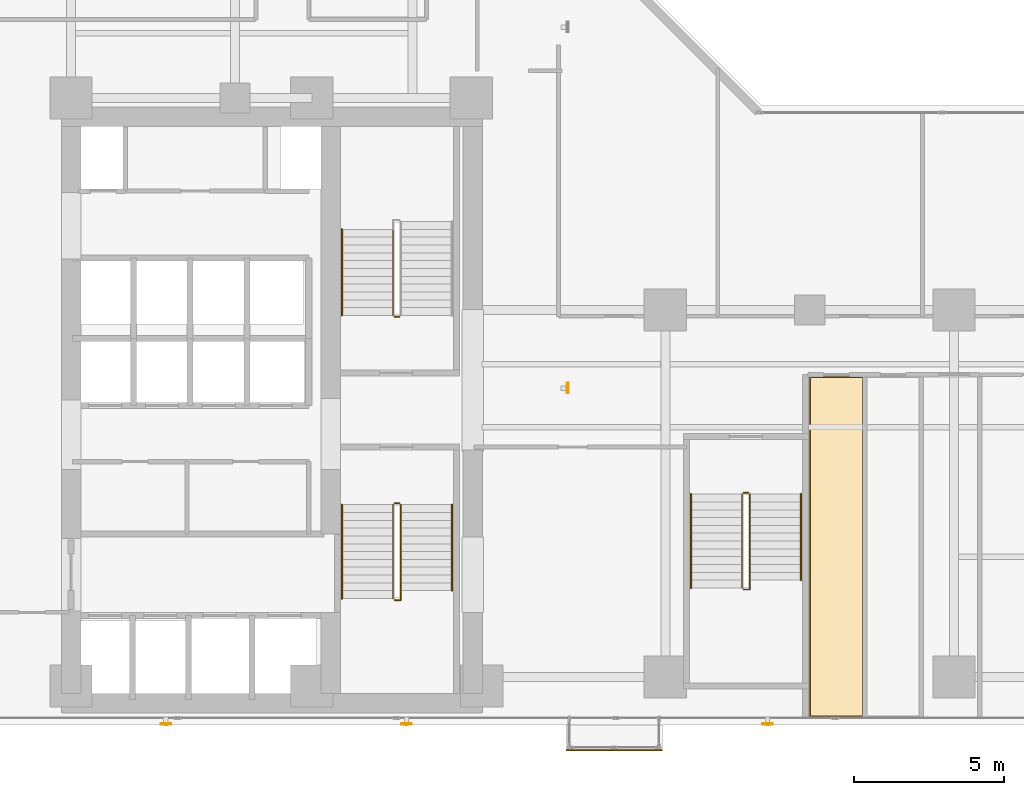
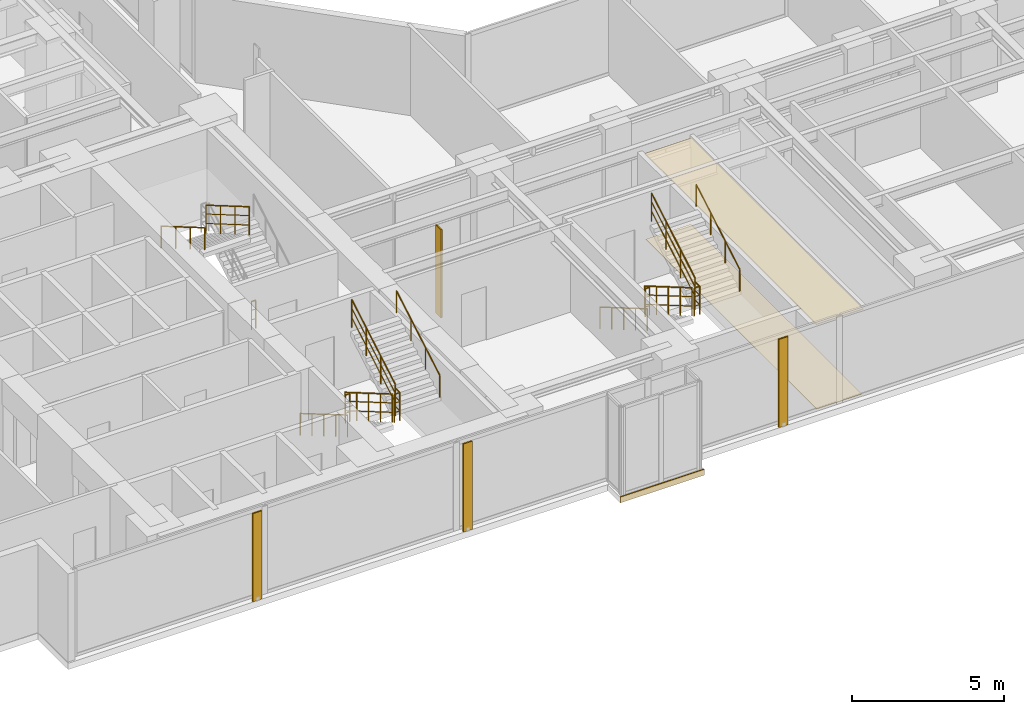
# One storey, part 23 of 26: 15 railings, 4 shading devices, 3 coverings.
"""IFC4 building model written with IfcOpenShell, lengths in metres."""

from ifc_helpers import new_model, si_unit, direction, frame, origin, origin_2d, place, context, subcontext, project, spatial, polyline, rectangle, hollow_rectangle, circle, outline, extrude, material, layer, layer_set, material_profile, profile_set, type_object, element, save


model = new_model("IFC4")

# Units and contexts
model_context = context("Model", 3, precision=1e-05, world=origin(), true_north=direction((0.0, 1.0)))
body_context = subcontext(model_context, "Body", "Model", "MODEL_VIEW")
ifc_project = project(units=[si_unit("LENGTHUNIT", "METRE"), si_unit("AREAUNIT", "SQUARE_METRE"), si_unit("VOLUMEUNIT", "CUBIC_METRE"), si_unit("PLANEANGLEUNIT", "RADIAN"), si_unit("MASSUNIT", "GRAM", prefix="KILO")], contexts=[model_context])

# Site, building, storey
site_placement = place(None, origin())
site = spatial("IfcSite", under=ifc_project, at=site_placement, CompositionType="ELEMENT")
building_placement = place(site_placement, origin())
building = spatial("IfcBuilding", under=site, at=building_placement, Name="Kolvaren Waterfront Exchange", CompositionType="ELEMENT")
storey_placement = place(building_placement, frame((0.0, 0.0, 122.10009765625)))
storey = spatial("IfcBuildingStorey", under=building, at=storey_placement, Name="L31", CompositionType="ELEMENT", Elevation=122.10009765625)

# Coverings
ifc_material_1 = material(Name="Mineral fibre acoustic ceiling tile")
ifc_layer_1 = layer(ifc_material_1, 0.02490234375, Name="Mineral fibre acoustic ceiling tile")
ifc_layer_set_1 = layer_set([ifc_layer_1], Name="Mineral fibre acoustic ceiling tile")
covering_type_1 = type_object("IfcCoveringType", Name="ARC-CEIL-ACOUSTIC-25", PredefinedType="CEILING", material=ifc_layer_set_1)
covering_1_placement = place(storey_placement, frame((0.0, 0.0, 3.4248046875)))
element("IfcCovering", 1, at=covering_1_placement, inside=storey, type_object=covering_type_1, Name="L31 acoustic suspended ceiling 2", PredefinedType="CEILING", context=body_context, shape_type="SweptSolid", body=[
    extrude(outline(polyline([(33.784912109375, 3.864990234375), (33.784912109375, 15.195068359375), (31.9951171875, 15.195068359375), (31.9951171875, 13.35009765625), (32.0, 13.35009765625), (32.0, 4.800048828125), (31.9951171875, 4.800048828125), (31.9951171875, 3.864990234375), (33.784912109375, 3.864990234375)])), origin(), (0.0, 0.0, 1.0), 0.025146484375),
])
ifc_material_2 = material(Name="Anodised bronze fascia aluminium", Category="aluminium")
ifc_layer_2 = layer(ifc_material_2, 0.034912109375, Name="Anodised bronze fascia aluminium")
ifc_layer_set_2 = layer_set([ifc_layer_2], Name="Anodised bronze fascia aluminium")
covering_type_2 = type_object("IfcCoveringType", Name="ARC-CLAD-BRONZE-35", PredefinedType="CLADDING", material=ifc_layer_set_2)
covering_2_placement = place(storey_placement, frame((25.5, 2.77001953125, -0.22021484375), z_axis=(0.0, 0.0, 1.0), x_axis=(1.0, 0.0, 0.0)))
element("IfcCovering", 2, at=covering_2_placement, inside=storey, type_object=covering_type_2, Name="L31 ribbed anodised bronze bay-box fascia", PredefinedType="CLADDING", context=body_context, shape_type="SweptSolid", body=[
    extrude(rectangle(XDim=3.199951171875, YDim=0.034912109375, at=origin_2d()), origin(), (0.0, 0.0, 1.0), 0.239990234375),
])

# Shading devices
ifc_material_3 = material(Name="Anodised bronze aluminium 6063-T6", Category="aluminium")
ifc_material_profile = material_profile(ifc_material_3, hollow_rectangle(XDim=0.06005859375, YDim=0.35009765625, WallThickness=0.0048828125, at=origin_2d()), Name="BRZ-FIN-350x60x5")
ifc_profile_set = profile_set([ifc_material_profile], Name="Anodised bronze aluminium 6063-T6")
shading_device_type = type_object("IfcShadingDeviceType", Name="ARC-FIN-350", PredefinedType="USERDEFINED", material=ifc_profile_set)
for number, where, z_axis, x_axis, name in (
    (3, (10.60009765625, 3.639892578125, 0.0), (0.0, 0.0, 1.0), (0.0, -1.0, 0.0), "L31 anodised bronze solar shading fin FIN-L31-S1"),
    (4, (18.60009765625, 3.639892578125, 0.0), (0.0, 0.0, 1.0), (0.0, -1.0, 0.0), "L31 anodised bronze solar shading fin FIN-L31-S2"),
    (5, (30.60009765625, 3.639892578125, 0.0), (0.0, 0.0, 1.0), (0.0, -1.0, 0.0), "L31 anodised bronze solar shading fin FIN-L31-S3"),
    (6, (23.9599609375, 14.800048828125, 0.0), (0.0, 0.0, 1.0), (1.0, 0.0, 0.0), "L31 anodised bronze solar shading fin FIN-L31-E1"),
):
    element("IfcShadingDevice", number, at=place(storey_placement, frame(where, z_axis=z_axis, x_axis=x_axis)), inside=storey, type_object=shading_device_type, Name=name, ObjectType="SOLAR FIN", PredefinedType="USERDEFINED", context=body_context, shape_type="SweptSolid", body=[
        extrude(hollow_rectangle(XDim=0.06005859375, YDim=0.35009765625, WallThickness=0.0048828125, at=origin_2d()), origin(), (0.0, 0.0, 1.0), 3.539794921875),
    ])

# Covering
ifc_material_4 = material(Name="Slip-resistant porcelain tile")
ifc_layer_3 = layer(ifc_material_4, 0.014892578125, Name="Slip-resistant porcelain tile")
ifc_layer_set_3 = layer_set([ifc_layer_3], Name="Slip-resistant porcelain tile")
covering_type_3 = type_object("IfcCoveringType", Name="ARC-FLR-PORC-15", PredefinedType="FLOORING", material=ifc_layer_set_3)
covering_3_placement = place(storey_placement, origin())
element("IfcCovering", 7, at=covering_3_placement, inside=storey, type_object=covering_type_3, Name="L31 floor finish 2", PredefinedType="FLOORING", context=body_context, shape_type="SweptSolid", body=[
    extrude(outline(polyline([(32.030029296875, 15.159912109375), (32.030029296875, 3.89990234375), (33.75, 3.89990234375), (33.75, 15.159912109375), (32.030029296875, 15.159912109375)])), origin(), (0.0, 0.0, 1.0), 0.014892578125),
])

# Railings
ifc_material_5 = material(Name="Stainless steel 316", Category="steel")
railing_type_1 = type_object("IfcRailingType", Name="ARC-GUARD-STAIR", PredefinedType="GUARDRAIL", material=ifc_material_5)
railing_1_placement = place(storey_placement, frame((18.14990234375, 10.929931640625, 0.15185546875)))
element("IfcRailing", 8, at=railing_1_placement, inside=storey, type_object=railing_type_1, Name="L31 ST1 stair guard 1", PredefinedType="GUARDRAIL", context=body_context, shape_type="SweptSolid", body=[
    extrude(circle(Radius=0.02392578125, at=origin_2d()), frame((0.0, 0.0, 1.1259765625), z_axis=(0.0, -0.86329090724, 0.504706656858), x_axis=(1.0, 0.0, 0.0)), (0.0, 0.0, 1.0), 3.614013671875),
    extrude(circle(Radius=0.01611328125, at=origin_2d()), frame((0.0, 0.0, 0.390869140625), z_axis=(0.0, -0.86329090724, 0.504706656858), x_axis=(1.0, 0.0, 0.0)), (0.0, 0.0, 1.0), 3.614013671875),
    extrude(circle(Radius=0.01611328125, at=origin_2d()), frame((0.0, 0.0, 0.7705078125), z_axis=(0.0, -0.86329090724, 0.504706656858), x_axis=(1.0, 0.0, 0.0)), (0.0, 0.0, 1.0), 3.614013671875),
    extrude(circle(Radius=0.02099609375, at=origin_2d()), origin(), (0.0, 0.0, 1.0), 1.101806640625),
    extrude(circle(Radius=0.02099609375, at=origin_2d()), frame((0.0, -0.780029296875, 0.4560546875)), (0.0, 0.0, 1.0), 1.101806640625),
    extrude(circle(Radius=0.02099609375, at=origin_2d()), frame((0.0, -1.56005859375, 0.912109375)), (0.0, 0.0, 1.0), 1.101806640625),
    extrude(circle(Radius=0.02099609375, at=origin_2d()), frame((0.0, -2.33984375, 1.367919921875)), (0.0, 0.0, 1.0), 1.101806640625),
    extrude(circle(Radius=0.02099609375, at=origin_2d()), frame((0.0, -3.119873046875, 1.823974609375)), (0.0, 0.0, 1.0), 1.101806640625),
])
railing_2_placement = place(storey_placement, frame((18.199951171875, 7.760009765625, 1.975830078125)))
element("IfcRailing", 9, at=railing_2_placement, inside=storey, type_object=railing_type_1, Name="L31 ST1 stair guard 2", PredefinedType="GUARDRAIL", context=body_context, shape_type="SweptSolid", body=[
    extrude(circle(Radius=0.02392578125, at=origin_2d()), frame((0.0, 0.0, 1.1259765625), z_axis=(1.0, 0.0, 0.0), x_axis=(0.0, 1.0, 0.0)), (0.0, 0.0, 1.0), 0.2099609375),
    extrude(circle(Radius=0.01611328125, at=origin_2d()), frame((0.0, 0.0, 0.390869140625), z_axis=(1.0, 0.0, 0.0), x_axis=(0.0, 1.0, 0.0)), (0.0, 0.0, 1.0), 0.2099609375),
    extrude(circle(Radius=0.01611328125, at=origin_2d()), frame((0.0, 0.0, 0.7705078125), z_axis=(1.0, 0.0, 0.0), x_axis=(0.0, 1.0, 0.0)), (0.0, 0.0, 1.0), 0.2099609375),
    extrude(circle(Radius=0.02392578125, at=origin_2d()), frame((0.2099609375, 0.0, 1.1259765625), z_axis=(0.0, 1.0, 0.0), x_axis=(-1.0, 0.0, 0.0)), (0.0, 0.0, 1.0), 0.31005859375),
    extrude(circle(Radius=0.01611328125, at=origin_2d()), frame((0.2099609375, 0.0, 0.390869140625), z_axis=(0.0, 1.0, 0.0), x_axis=(-1.0, 0.0, 0.0)), (0.0, 0.0, 1.0), 0.31005859375),
    extrude(circle(Radius=0.01611328125, at=origin_2d()), frame((0.2099609375, 0.0, 0.7705078125), z_axis=(0.0, 1.0, 0.0), x_axis=(-1.0, 0.0, 0.0)), (0.0, 0.0, 1.0), 0.31005859375),
    extrude(circle(Radius=0.02099609375, at=origin_2d()), origin(), (0.0, 0.0, 1.0), 1.101806640625),
    extrude(circle(Radius=0.02099609375, at=origin_2d()), frame((0.2099609375, 0.0, 0.0)), (0.0, 0.0, 1.0), 1.101806640625),
    extrude(circle(Radius=0.02099609375, at=origin_2d()), frame((0.2099609375, 0.31005859375, 0.0)), (0.0, 0.0, 1.0), 1.101806640625),
])
railing_3_placement = place(storey_placement, frame((18.409912109375, 8.070068359375, 2.1279296875)))
element("IfcRailing", 10, at=railing_3_placement, inside=storey, type_object=railing_type_1, Name="L31 ST1 stair guard 3", PredefinedType="GUARDRAIL", context=body_context, shape_type="SweptSolid", body=[
    extrude(circle(Radius=0.02392578125, at=origin_2d()), frame((0.0, 0.0, 1.1259765625), z_axis=(0.0, 0.86330272217, 0.504686447108), x_axis=(-1.0, 0.0, 0.0)), (0.0, 0.0, 1.0), 3.312744140625),
    extrude(circle(Radius=0.01611328125, at=origin_2d()), frame((0.0, 0.0, 0.390869140625), z_axis=(0.0, 0.86330272217, 0.504686447108), x_axis=(-1.0, 0.0, 0.0)), (0.0, 0.0, 1.0), 3.312744140625),
    extrude(circle(Radius=0.01611328125, at=origin_2d()), frame((0.0, 0.0, 0.7705078125), z_axis=(0.0, 0.86330272217, 0.504686447108), x_axis=(-1.0, 0.0, 0.0)), (0.0, 0.0, 1.0), 3.312744140625),
    extrude(circle(Radius=0.02099609375, at=origin_2d()), origin(), (0.0, 0.0, 1.0), 1.101806640625),
    extrude(circle(Radius=0.02099609375, at=origin_2d()), frame((0.0, 0.953369140625, 0.557373046875)), (0.0, 0.0, 1.0), 1.101806640625),
    extrude(circle(Radius=0.02099609375, at=origin_2d()), frame((0.0, 1.906494140625, 1.114501953125)), (0.0, 0.0, 1.0), 1.101806640625),
    extrude(circle(Radius=0.02099609375, at=origin_2d()), frame((0.0, 2.85986328125, 1.671875)), (0.0, 0.0, 1.0), 1.101806640625),
])
railing_4_placement = place(storey_placement, frame((18.199951171875, 10.97998046875, 0.0)))
element("IfcRailing", 11, at=railing_4_placement, inside=storey, type_object=railing_type_1, Name="L31 ST1 stair guard 4", PredefinedType="GUARDRAIL", context=body_context, shape_type="SweptSolid", body=[
    extrude(circle(Radius=0.02392578125, at=origin_2d()), frame((0.0, 0.0, 1.1259765625), z_axis=(1.0, 0.0, 0.0), x_axis=(0.0, 1.0, 0.0)), (0.0, 0.0, 1.0), 0.16015625),
    extrude(circle(Radius=0.01611328125, at=origin_2d()), frame((0.0, 0.0, 0.390869140625), z_axis=(1.0, 0.0, 0.0), x_axis=(0.0, 1.0, 0.0)), (0.0, 0.0, 1.0), 0.16015625),
    extrude(circle(Radius=0.01611328125, at=origin_2d()), frame((0.0, 0.0, 0.7705078125), z_axis=(1.0, 0.0, 0.0), x_axis=(0.0, 1.0, 0.0)), (0.0, 0.0, 1.0), 0.16015625),
    extrude(circle(Radius=0.02099609375, at=origin_2d()), origin(), (0.0, 0.0, 1.0), 1.101806640625),
    extrude(circle(Radius=0.02099609375, at=origin_2d()), frame((0.16015625, 0.0, 0.0)), (0.0, 0.0, 1.0), 1.101806640625),
])
railing_5_placement = place(storey_placement, frame((18.14990234375, 20.080078125, 2.1279296875)))
element("IfcRailing", 12, at=railing_5_placement, inside=storey, type_object=railing_type_1, Name="L31 ST2 stair guard 3", PredefinedType="GUARDRAIL", context=body_context, shape_type="SweptSolid", body=[
    extrude(circle(Radius=0.02392578125, at=origin_2d()), frame((0.0, 0.0, 1.1259765625), z_axis=(0.0, -0.863321491973, 0.504654338629), x_axis=(1.0, 0.0, 0.0)), (0.0, 0.0, 1.0), 3.31298828125),
    extrude(circle(Radius=0.01611328125, at=origin_2d()), frame((0.0, 0.0, 0.390869140625), z_axis=(0.0, -0.863321491973, 0.504654338629), x_axis=(1.0, 0.0, 0.0)), (0.0, 0.0, 1.0), 3.31298828125),
    extrude(circle(Radius=0.01611328125, at=origin_2d()), frame((0.0, 0.0, 0.7705078125), z_axis=(0.0, -0.863321491973, 0.504654338629), x_axis=(1.0, 0.0, 0.0)), (0.0, 0.0, 1.0), 3.31298828125),
    extrude(circle(Radius=0.02099609375, at=origin_2d()), origin(), (0.0, 0.0, 1.0), 1.101806640625),
    extrude(circle(Radius=0.02099609375, at=origin_2d()), frame((0.0, -0.953369140625, 0.557373046875)), (0.0, 0.0, 1.0), 1.101806640625),
    extrude(circle(Radius=0.02099609375, at=origin_2d()), frame((0.0, -1.90673828125, 1.114501953125)), (0.0, 0.0, 1.0), 1.101806640625),
    extrude(circle(Radius=0.02099609375, at=origin_2d()), frame((0.0, -2.860107421875, 1.671875)), (0.0, 0.0, 1.0), 1.101806640625),
])
railing_6_placement = place(storey_placement, frame((18.360107421875, 17.169921875, 0.0)))
element("IfcRailing", 13, at=railing_6_placement, inside=storey, type_object=railing_type_1, Name="L31 ST2 stair guard 4", PredefinedType="GUARDRAIL", context=body_context, shape_type="SweptSolid", body=[
    extrude(circle(Radius=0.02392578125, at=origin_2d()), frame((0.0, 0.0, 1.1259765625), z_axis=(-1.0, 0.0, 0.0), x_axis=(0.0, -1.0, 0.0)), (0.0, 0.0, 1.0), 0.16015625),
    extrude(circle(Radius=0.01611328125, at=origin_2d()), frame((0.0, 0.0, 0.390869140625), z_axis=(-1.0, 0.0, 0.0), x_axis=(0.0, -1.0, 0.0)), (0.0, 0.0, 1.0), 0.16015625),
    extrude(circle(Radius=0.01611328125, at=origin_2d()), frame((0.0, 0.0, 0.7705078125), z_axis=(-1.0, 0.0, 0.0), x_axis=(0.0, -1.0, 0.0)), (0.0, 0.0, 1.0), 0.16015625),
    extrude(circle(Radius=0.02099609375, at=origin_2d()), origin(), (0.0, 0.0, 1.0), 1.101806640625),
    extrude(circle(Radius=0.02099609375, at=origin_2d()), frame((-0.16015625, 0.0, 0.0)), (0.0, 0.0, 1.0), 1.101806640625),
])
railing_7_placement = place(storey_placement, frame((29.75, 11.280029296875, 0.15185546875)))
element("IfcRailing", 14, at=railing_7_placement, inside=storey, type_object=railing_type_1, Name="L31 ST3 stair guard 1", PredefinedType="GUARDRAIL", context=body_context, shape_type="SweptSolid", body=[
    extrude(circle(Radius=0.02392578125, at=origin_2d()), frame((0.0, 0.0, 1.1259765625), z_axis=(0.0, -0.86330811405, 0.504677223793), x_axis=(1.0, 0.0, 0.0)), (0.0, 0.0, 1.0), 3.6142578125),
    extrude(circle(Radius=0.01611328125, at=origin_2d()), frame((0.0, 0.0, 0.390869140625), z_axis=(0.0, -0.86330811405, 0.504677223793), x_axis=(1.0, 0.0, 0.0)), (0.0, 0.0, 1.0), 3.6142578125),
    extrude(circle(Radius=0.01611328125, at=origin_2d()), frame((0.0, 0.0, 0.7705078125), z_axis=(0.0, -0.86330811405, 0.504677223793), x_axis=(1.0, 0.0, 0.0)), (0.0, 0.0, 1.0), 3.6142578125),
    extrude(circle(Radius=0.02099609375, at=origin_2d()), origin(), (0.0, 0.0, 1.0), 1.101806640625),
    extrude(circle(Radius=0.02099609375, at=origin_2d()), frame((0.0, -0.780029296875, 0.4560546875)), (0.0, 0.0, 1.0), 1.101806640625),
    extrude(circle(Radius=0.02099609375, at=origin_2d()), frame((0.0, -1.56005859375, 0.912109375)), (0.0, 0.0, 1.0), 1.101806640625),
    extrude(circle(Radius=0.02099609375, at=origin_2d()), frame((0.0, -2.340087890625, 1.367919921875)), (0.0, 0.0, 1.0), 1.101806640625),
    extrude(circle(Radius=0.02099609375, at=origin_2d()), frame((0.0, -3.1201171875, 1.823974609375)), (0.0, 0.0, 1.0), 1.101806640625),
])
railing_8_placement = place(storey_placement, frame((29.800048828125, 8.110107421875, 1.975830078125)))
element("IfcRailing", 15, at=railing_8_placement, inside=storey, type_object=railing_type_1, Name="L31 ST3 stair guard 2", PredefinedType="GUARDRAIL", context=body_context, shape_type="SweptSolid", body=[
    extrude(circle(Radius=0.02392578125, at=origin_2d()), frame((0.0, 0.0, 1.1259765625), z_axis=(1.0, 0.0, 0.0), x_axis=(0.0, 1.0, 0.0)), (0.0, 0.0, 1.0), 0.2099609375),
    extrude(circle(Radius=0.01611328125, at=origin_2d()), frame((0.0, 0.0, 0.390869140625), z_axis=(1.0, 0.0, 0.0), x_axis=(0.0, 1.0, 0.0)), (0.0, 0.0, 1.0), 0.2099609375),
    extrude(circle(Radius=0.01611328125, at=origin_2d()), frame((0.0, 0.0, 0.7705078125), z_axis=(1.0, 0.0, 0.0), x_axis=(0.0, 1.0, 0.0)), (0.0, 0.0, 1.0), 0.2099609375),
    extrude(circle(Radius=0.02392578125, at=origin_2d()), frame((0.2099609375, 0.0, 1.1259765625), z_axis=(0.0, 1.0, 0.0), x_axis=(-1.0, 0.0, 0.0)), (0.0, 0.0, 1.0), 0.309814453125),
    extrude(circle(Radius=0.01611328125, at=origin_2d()), frame((0.2099609375, 0.0, 0.390869140625), z_axis=(0.0, 1.0, 0.0), x_axis=(-1.0, 0.0, 0.0)), (0.0, 0.0, 1.0), 0.309814453125),
    extrude(circle(Radius=0.01611328125, at=origin_2d()), frame((0.2099609375, 0.0, 0.7705078125), z_axis=(0.0, 1.0, 0.0), x_axis=(-1.0, 0.0, 0.0)), (0.0, 0.0, 1.0), 0.309814453125),
    extrude(circle(Radius=0.02099609375, at=origin_2d()), origin(), (0.0, 0.0, 1.0), 1.101806640625),
    extrude(circle(Radius=0.02099609375, at=origin_2d()), frame((0.2099609375, 0.0, 0.0)), (0.0, 0.0, 1.0), 1.101806640625),
    extrude(circle(Radius=0.02099609375, at=origin_2d()), frame((0.2099609375, 0.309814453125, 0.0)), (0.0, 0.0, 1.0), 1.101806640625),
])
railing_9_placement = place(storey_placement, frame((30.010009765625, 8.419921875, 2.1279296875)))
element("IfcRailing", 16, at=railing_9_placement, inside=storey, type_object=railing_type_1, Name="L31 ST3 stair guard 3", PredefinedType="GUARDRAIL", context=body_context, shape_type="SweptSolid", body=[
    extrude(circle(Radius=0.02392578125, at=origin_2d()), frame((0.0, 0.0, 1.1259765625), z_axis=(0.0, 0.863321491973, 0.504654338629), x_axis=(-1.0, 0.0, 0.0)), (0.0, 0.0, 1.0), 3.31298828125),
    extrude(circle(Radius=0.01611328125, at=origin_2d()), frame((0.0, 0.0, 0.390869140625), z_axis=(0.0, 0.863321491973, 0.504654338629), x_axis=(-1.0, 0.0, 0.0)), (0.0, 0.0, 1.0), 3.31298828125),
    extrude(circle(Radius=0.01611328125, at=origin_2d()), frame((0.0, 0.0, 0.7705078125), z_axis=(0.0, 0.863321491973, 0.504654338629), x_axis=(-1.0, 0.0, 0.0)), (0.0, 0.0, 1.0), 3.31298828125),
    extrude(circle(Radius=0.02099609375, at=origin_2d()), origin(), (0.0, 0.0, 1.0), 1.101806640625),
    extrude(circle(Radius=0.02099609375, at=origin_2d()), frame((0.0, 0.953369140625, 0.557373046875)), (0.0, 0.0, 1.0), 1.101806640625),
    extrude(circle(Radius=0.02099609375, at=origin_2d()), frame((0.0, 1.90673828125, 1.114501953125)), (0.0, 0.0, 1.0), 1.101806640625),
    extrude(circle(Radius=0.02099609375, at=origin_2d()), frame((0.0, 2.860107421875, 1.671875)), (0.0, 0.0, 1.0), 1.101806640625),
])
railing_10_placement = place(storey_placement, frame((29.800048828125, 11.330078125, 0.0)))
element("IfcRailing", 17, at=railing_10_placement, inside=storey, type_object=railing_type_1, Name="L31 ST3 stair guard 4", PredefinedType="GUARDRAIL", context=body_context, shape_type="SweptSolid", body=[
    extrude(circle(Radius=0.02392578125, at=origin_2d()), frame((0.0, 0.0, 1.1259765625), z_axis=(1.0, 0.0, 0.0), x_axis=(0.0, 1.0, 0.0)), (0.0, 0.0, 1.0), 0.159912109375),
    extrude(circle(Radius=0.01611328125, at=origin_2d()), frame((0.0, 0.0, 0.390869140625), z_axis=(1.0, 0.0, 0.0), x_axis=(0.0, 1.0, 0.0)), (0.0, 0.0, 1.0), 0.159912109375),
    extrude(circle(Radius=0.01611328125, at=origin_2d()), frame((0.0, 0.0, 0.7705078125), z_axis=(1.0, 0.0, 0.0), x_axis=(0.0, 1.0, 0.0)), (0.0, 0.0, 1.0), 0.159912109375),
    extrude(circle(Radius=0.02099609375, at=origin_2d()), origin(), (0.0, 0.0, 1.0), 1.101806640625),
    extrude(circle(Radius=0.02099609375, at=origin_2d()), frame((0.159912109375, 0.0, 0.0)), (0.0, 0.0, 1.0), 1.101806640625),
])
railing_type_2 = type_object("IfcRailingType", Name="ARC-HANDRAIL-900", PredefinedType="HANDRAIL", material=ifc_material_5)
railing_11_placement = place(storey_placement, frame((16.449951171875, 10.929931640625, 0.15185546875)))
element("IfcRailing", 18, at=railing_11_placement, inside=storey, type_object=railing_type_2, Name="L31 ST1 stair handrail 1", PredefinedType="HANDRAIL", context=body_context, shape_type="SweptSolid", body=[
    extrude(circle(Radius=0.02392578125, at=origin_2d()), frame((0.0, 0.0, 0.8759765625), z_axis=(0.0, -0.86329090724, 0.504706656858), x_axis=(1.0, 0.0, 0.0)), (0.0, 0.0, 1.0), 3.614013671875),
    extrude(circle(Radius=0.02099609375, at=origin_2d()), origin(), (0.0, 0.0, 1.0), 0.851806640625),
    extrude(circle(Radius=0.02099609375, at=origin_2d()), frame((0.0, -0.780029296875, 0.4560546875)), (0.0, 0.0, 1.0), 0.851806640625),
    extrude(circle(Radius=0.02099609375, at=origin_2d()), frame((0.0, -1.56005859375, 0.912109375)), (0.0, 0.0, 1.0), 0.851806640625),
    extrude(circle(Radius=0.02099609375, at=origin_2d()), frame((0.0, -2.33984375, 1.367919921875)), (0.0, 0.0, 1.0), 0.851806640625),
    extrude(circle(Radius=0.02099609375, at=origin_2d()), frame((0.0, -3.119873046875, 1.823974609375)), (0.0, 0.0, 1.0), 0.851806640625),
])
railing_12_placement = place(storey_placement, frame((20.110107421875, 8.070068359375, 2.1279296875)))
element("IfcRailing", 19, at=railing_12_placement, inside=storey, type_object=railing_type_2, Name="L31 ST1 stair handrail 2", PredefinedType="HANDRAIL", context=body_context, shape_type="SweptSolid", body=[
    extrude(circle(Radius=0.02392578125, at=origin_2d()), frame((0.0, 0.0, 0.8759765625), z_axis=(0.0, 0.86330272217, 0.504686447108), x_axis=(-1.0, 0.0, 0.0)), (0.0, 0.0, 1.0), 3.312744140625),
    extrude(circle(Radius=0.02099609375, at=origin_2d()), origin(), (0.0, 0.0, 1.0), 0.851806640625),
    extrude(circle(Radius=0.02099609375, at=origin_2d()), frame((0.0, 0.953369140625, 0.557373046875)), (0.0, 0.0, 1.0), 0.851806640625),
    extrude(circle(Radius=0.02099609375, at=origin_2d()), frame((0.0, 1.906494140625, 1.114501953125)), (0.0, 0.0, 1.0), 0.851806640625),
    extrude(circle(Radius=0.02099609375, at=origin_2d()), frame((0.0, 2.85986328125, 1.671875)), (0.0, 0.0, 1.0), 0.851806640625),
])
railing_13_placement = place(storey_placement, frame((16.449951171875, 20.080078125, 2.1279296875)))
element("IfcRailing", 20, at=railing_13_placement, inside=storey, type_object=railing_type_2, Name="L31 ST2 stair handrail 2", PredefinedType="HANDRAIL", context=body_context, shape_type="SweptSolid", body=[
    extrude(circle(Radius=0.02392578125, at=origin_2d()), frame((0.0, 0.0, 0.8759765625), z_axis=(0.0, -0.863321491973, 0.504654338629), x_axis=(1.0, 0.0, 0.0)), (0.0, 0.0, 1.0), 3.31298828125),
    extrude(circle(Radius=0.02099609375, at=origin_2d()), origin(), (0.0, 0.0, 1.0), 0.851806640625),
    extrude(circle(Radius=0.02099609375, at=origin_2d()), frame((0.0, -0.953369140625, 0.557373046875)), (0.0, 0.0, 1.0), 0.851806640625),
    extrude(circle(Radius=0.02099609375, at=origin_2d()), frame((0.0, -1.90673828125, 1.114501953125)), (0.0, 0.0, 1.0), 0.851806640625),
    extrude(circle(Radius=0.02099609375, at=origin_2d()), frame((0.0, -2.860107421875, 1.671875)), (0.0, 0.0, 1.0), 0.851806640625),
])
railing_14_placement = place(storey_placement, frame((28.050048828125, 11.280029296875, 0.15185546875)))
element("IfcRailing", 21, at=railing_14_placement, inside=storey, type_object=railing_type_2, Name="L31 ST3 stair handrail 1", PredefinedType="HANDRAIL", context=body_context, shape_type="SweptSolid", body=[
    extrude(circle(Radius=0.02392578125, at=origin_2d()), frame((0.0, 0.0, 0.8759765625), z_axis=(0.0, -0.86330811405, 0.504677223793), x_axis=(1.0, 0.0, 0.0)), (0.0, 0.0, 1.0), 3.6142578125),
    extrude(circle(Radius=0.02099609375, at=origin_2d()), origin(), (0.0, 0.0, 1.0), 0.851806640625),
    extrude(circle(Radius=0.02099609375, at=origin_2d()), frame((0.0, -0.780029296875, 0.4560546875)), (0.0, 0.0, 1.0), 0.851806640625),
    extrude(circle(Radius=0.02099609375, at=origin_2d()), frame((0.0, -1.56005859375, 0.912109375)), (0.0, 0.0, 1.0), 0.851806640625),
    extrude(circle(Radius=0.02099609375, at=origin_2d()), frame((0.0, -2.340087890625, 1.367919921875)), (0.0, 0.0, 1.0), 0.851806640625),
    extrude(circle(Radius=0.02099609375, at=origin_2d()), frame((0.0, -3.1201171875, 1.823974609375)), (0.0, 0.0, 1.0), 0.851806640625),
])
railing_15_placement = place(storey_placement, frame((31.7099609375, 8.419921875, 2.1279296875)))
element("IfcRailing", 22, at=railing_15_placement, inside=storey, type_object=railing_type_2, Name="L31 ST3 stair handrail 2", PredefinedType="HANDRAIL", context=body_context, shape_type="SweptSolid", body=[
    extrude(circle(Radius=0.02392578125, at=origin_2d()), frame((0.0, 0.0, 0.8759765625), z_axis=(0.0, 0.863321491973, 0.504654338629), x_axis=(-1.0, 0.0, 0.0)), (0.0, 0.0, 1.0), 3.31298828125),
    extrude(circle(Radius=0.02099609375, at=origin_2d()), origin(), (0.0, 0.0, 1.0), 0.851806640625),
    extrude(circle(Radius=0.02099609375, at=origin_2d()), frame((0.0, 0.953369140625, 0.557373046875)), (0.0, 0.0, 1.0), 0.851806640625),
    extrude(circle(Radius=0.02099609375, at=origin_2d()), frame((0.0, 1.90673828125, 1.114501953125)), (0.0, 0.0, 1.0), 0.851806640625),
    extrude(circle(Radius=0.02099609375, at=origin_2d()), frame((0.0, 2.860107421875, 1.671875)), (0.0, 0.0, 1.0), 0.851806640625),
])

save(model, "model.ifc")
